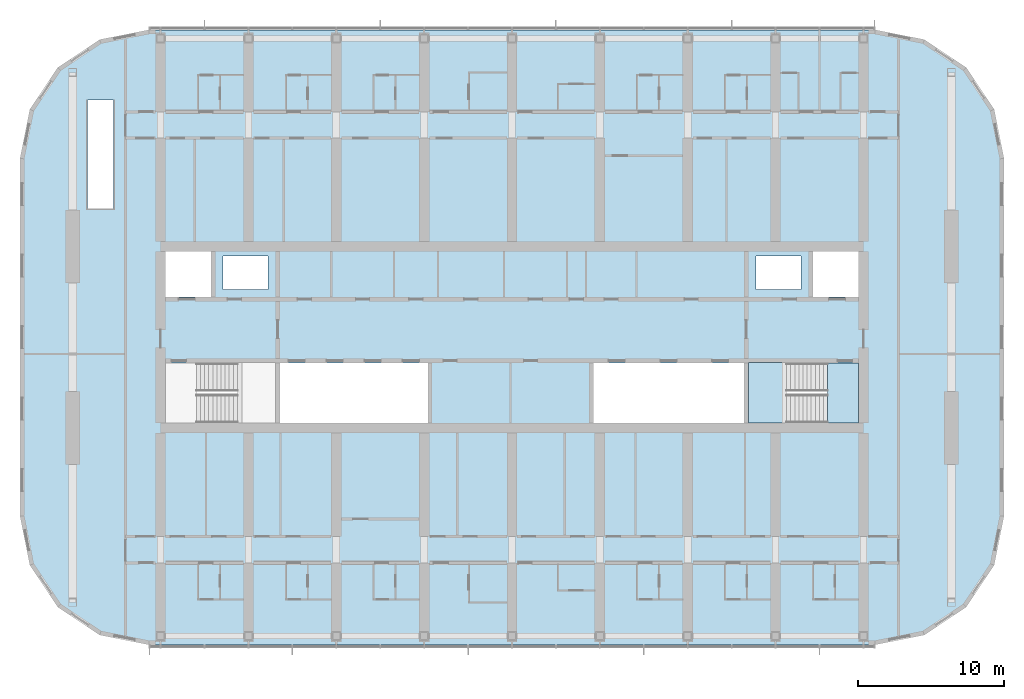
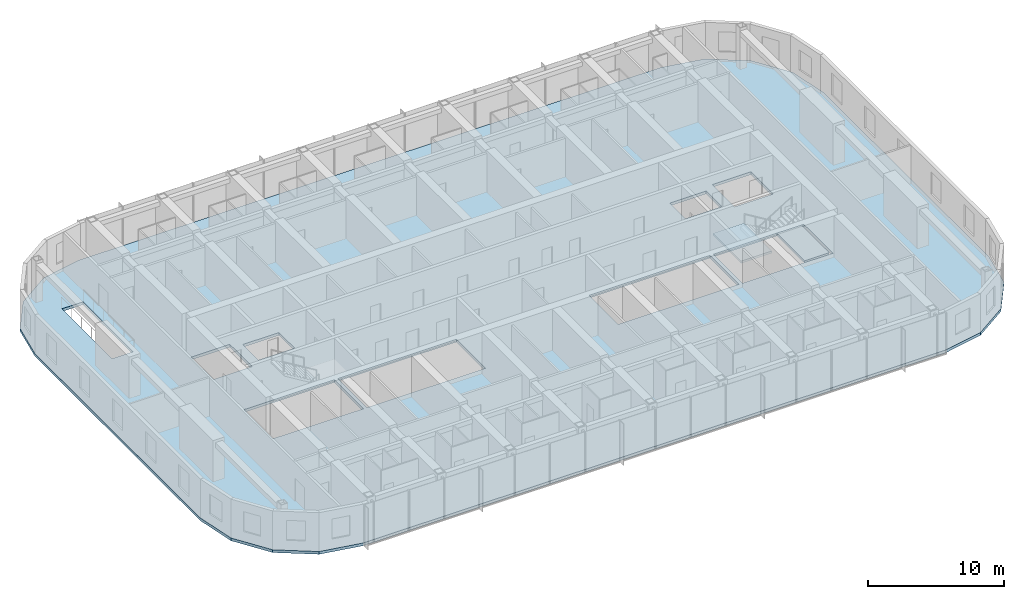
# One storey, part 8 of 23: 3 slabs, 1 element without a shape of its own.
"""IFC4 building model written with IfcOpenShell, lengths in metres."""

import ifcopenshell
import ifcopenshell.guid

model = None  # the IFC model being written
_history = None  # IfcOwnerHistory: only IFC2X3 demands one
_inside = {}  # id of a spatial element -> (the spatial element, [elements in it])
_under = {}  # id of a project, library or spatial element -> (it, [spatial elements below it])
_declared = {}  # id of a project -> (the project, [libraries it declares])
_typed = {}  # id of a type object -> (the type object, [elements of that type])
_made_of = {}  # id of a material, layer set ... -> (it, [elements and type objects made of it])


def new_model(schema):
    """Start an empty IFC model of exactly this schema.

    Asked for "IFC4X3", IfcOpenShell would pick the latest addendum, in which some entities
    have other attributes; the version numbers below select the first issue.
    IFC2X3 requires an IfcOwnerHistory on every rooted entity: one is made here for all.
    """
    global model, _history
    if schema == "IFC4X3":
        model = ifcopenshell.file(schema_version=(4, 3, 0, 0))
    else:
        model = ifcopenshell.file(schema=schema)
    _inside.clear()
    _under.clear()
    _declared.clear()
    _typed.clear()
    _made_of.clear()
    _history = None
    if model.schema == "IFC2X3":
        org = make("IfcOrganization", Name="unknown")
        user = make(
            "IfcPersonAndOrganization",
            ThePerson=make("IfcPerson", FamilyName="unknown"),
            TheOrganization=org,
        )
        app = make(
            "IfcApplication",
            ApplicationDeveloper=org,
            Version="unknown",
            ApplicationFullName="unknown",
            ApplicationIdentifier="unknown",
        )
        _history = make(
            "IfcOwnerHistory",
            OwningUser=user,
            OwningApplication=app,
            ChangeAction="ADDED",
            CreationDate=0,
        )
    return model


def make(cls, **values):
    """One entity of the class cls with the attributes given. An attribute that is None is left unset."""
    return model.create_entity(
        cls, **{name: value for name, value in values.items() if value is not None}
    )


def rooted(cls, **values):
    """An entity with a GlobalId (a new one), such as an element, a storey or a relation."""
    return make(cls, GlobalId=ifcopenshell.guid.new(), OwnerHistory=_history, **values)


def si_unit(unit_type, name, prefix=None):
    """IfcSIUnit, for example si_unit("LENGTHUNIT", "METRE", prefix="MILLI")."""
    return make("IfcSIUnit", UnitType=unit_type, Prefix=prefix, Name=name)


def assignment(units):
    """IfcUnitAssignment: the units of a project."""
    return None if units is None else make("IfcUnitAssignment", Units=units)


def point(xyz):
    """IfcCartesianPoint."""
    return None if xyz is None else make("IfcCartesianPoint", Coordinates=xyz)


def direction(xyz):
    """IfcDirection."""
    return None if xyz is None else make("IfcDirection", DirectionRatios=xyz)


def frame(location, z_axis=None, x_axis=None):
    """IfcAxis2Placement3D, a coordinate frame: its origin and axes. An axis left out is left unset."""
    return make(
        "IfcAxis2Placement3D",
        Location=point(location),
        Axis=direction(z_axis),
        RefDirection=direction(x_axis),
    )


def origin():
    """The frame at (0, 0, 0) with its axes left unset."""
    return frame((0.0, 0.0, 0.0))


def place(relative_to, where):
    """IfcLocalPlacement: puts the frame where relative to a parent placement (None: the world)."""
    return make(
        "IfcLocalPlacement", PlacementRelTo=relative_to, RelativePlacement=where
    )


def context(
    kind, dimensions, precision=None, world=None, true_north=None, identifier=None
):
    """IfcGeometricRepresentationContext, for example the 3D "Model" context."""
    return make(
        "IfcGeometricRepresentationContext",
        ContextIdentifier=identifier,
        ContextType=kind,
        CoordinateSpaceDimension=dimensions,
        Precision=precision,
        WorldCoordinateSystem=world,
        TrueNorth=true_north,
    )


def subcontext(parent, identifier, kind, view, scale=None):
    """IfcGeometricRepresentationSubContext, for example "Body" below "Model"."""
    return make(
        "IfcGeometricRepresentationSubContext",
        ContextIdentifier=identifier,
        ContextType=kind,
        ParentContext=parent,
        TargetScale=scale,
        TargetView=view,
    )


def project(units=None, contexts=None):
    """IfcProject with its units and contexts."""
    return rooted(
        "IfcProject",
        Name="project",
        RepresentationContexts=contexts,
        UnitsInContext=assignment(units),
    )


def spatial(cls, under=None, at=None, **own):
    """A site, building, storey or space (cls), placed at a placement, below another one or the project."""
    s = rooted(cls, ObjectPlacement=at, **own)
    if under is not None:
        _under.setdefault(under.id(), (under, []))[1].append(s)
    return s


def polyline(points):
    """IfcPolyline through the points."""
    return make("IfcPolyline", Points=[point(p) for p in points])


def outline(outer, holes=None, kind="AREA"):
    """IfcArbitraryClosedProfileDef: a profile drawn as a closed curve; with holes, ...WithVoids."""
    if holes is None:
        return make("IfcArbitraryClosedProfileDef", ProfileType=kind, OuterCurve=outer)
    return make(
        "IfcArbitraryProfileDefWithVoids",
        ProfileType=kind,
        OuterCurve=outer,
        InnerCurves=holes,
    )


def extrude(swept, where, along, depth):
    """IfcExtrudedAreaSolid: the profile swept, set in the frame where, extruded along a direction by depth."""
    return make(
        "IfcExtrudedAreaSolid",
        SweptArea=swept,
        Position=where,
        ExtrudedDirection=direction(along),
        Depth=depth,
    )


def shape(context_of_items, identifier, shape_type, items):
    """IfcShapeRepresentation: the items that make up one representation, for example the "Body"."""
    return make(
        "IfcShapeRepresentation",
        ContextOfItems=context_of_items,
        RepresentationIdentifier=identifier,
        RepresentationType=shape_type,
        Items=items,
    )


def material(Name=None, Category=None):
    """IfcMaterial."""
    return make("IfcMaterial", Name=Name, Category=Category)


def layer(
    of_material, thickness, ventilated=None, Name=None, Category=None, Priority=None
):
    """IfcMaterialLayer: one layer of a wall or slab, of a material (None: an air gap)."""
    return make(
        "IfcMaterialLayer",
        Material=of_material,
        LayerThickness=thickness,
        IsVentilated=ventilated,
        Name=Name,
        Category=Category,
        Priority=Priority,
    )


def layer_set(layers, Name=None):
    """IfcMaterialLayerSet."""
    return make("IfcMaterialLayerSet", MaterialLayers=layers, LayerSetName=Name)


def made_of(thing, what):
    """Note that an element or type object is made of a material, layer set ...; save() writes the relation."""
    if what is not None:
        _made_of.setdefault(what.id(), (what, []))[1].append(thing)
    return thing


def type_object(cls, material=None, **own):
    """A type object (cls), such as IfcWallType, which elements share."""
    return made_of(rooted(cls, **own), material)


def element(
    cls,
    number,
    at=None,
    inside=None,
    cuts=None,
    type_object=None,
    material=None,
    context=None,
    identifier="Body",
    shape_type=None,
    held_by="IfcProductDefinitionShape",
    body=None,
    shapes=None,
    **own,
):
    """One element of the class cls, such as IfcWall. Its Tag is "e" and its number.

    at: its placement. inside: the storey or other place that contains it. cuts: it is an
    opening in that element (IfcRelVoidsElement). A single representation is given by context,
    identifier, shape_type and body (its items); several are given by shapes. held_by: the class
    of the entity that holds the representations. save() writes the other relations.
    """
    e = rooted(cls, Tag="e%d" % number, ObjectPlacement=at, **own)
    if body is not None:
        shapes = [shape(context, identifier, shape_type, body)]
    if shapes is not None:
        e.Representation = make(held_by, Representations=shapes)
    if inside is not None:
        _inside.setdefault(inside.id(), (inside, []))[1].append(e)
    if cuts is not None:
        rooted(
            "IfcRelVoidsElement", RelatingBuildingElement=cuts, RelatedOpeningElement=e
        )
    if type_object is not None:
        _typed.setdefault(type_object.id(), (type_object, []))[1].append(e)
    return made_of(e, material)


def aggregate(whole, parts):
    """IfcRelAggregates: a whole, such as a stair, and the parts it consists of."""
    return rooted("IfcRelAggregates", RelatingObject=whole, RelatedObjects=parts)


def save(model, path):
    """Write the relations noted so far, then the file.

    IfcRelAggregates (storeys below a building ...), IfcRelContainedInSpatialStructure (elements
    in a storey), IfcRelDefinesByType, IfcRelAssociatesMaterial and IfcRelDeclares: one each for
    every whole, place, type object, material and project.
    """
    for whole, parts in _under.values():
        aggregate(whole, parts)
    for where, things in _inside.values():
        rooted(
            "IfcRelContainedInSpatialStructure",
            RelatedElements=things,
            RelatingStructure=where,
        )
    for kind, things in _typed.values():
        rooted("IfcRelDefinesByType", RelatedObjects=things, RelatingType=kind)
    for what, things in _made_of.values():
        rooted("IfcRelAssociatesMaterial", RelatedObjects=things, RelatingMaterial=what)
    for by, libraries in _declared.values():
        rooted("IfcRelDeclares", RelatingContext=by, RelatedDefinitions=libraries)
    model.write(path)


model = new_model("IFC4")

# Units and contexts
model_context = context("Model", 3, precision=1e-05, world=origin(), true_north=direction((0.0, 1.0)))
body_context = subcontext(model_context, "Body", "Model", "MODEL_VIEW")
ifc_project = project(units=[si_unit("LENGTHUNIT", "METRE"), si_unit("AREAUNIT", "SQUARE_METRE"), si_unit("VOLUMEUNIT", "CUBIC_METRE"), si_unit("PLANEANGLEUNIT", "RADIAN"), si_unit("MASSUNIT", "GRAM", prefix="KILO")], contexts=[model_context])

# Site, building, storey
site_placement = place(None, origin())
site = spatial("IfcSite", under=ifc_project, at=site_placement, CompositionType="ELEMENT")
building_placement = place(site_placement, origin())
building = spatial("IfcBuilding", under=site, at=building_placement, Name="Orbita Commons", CompositionType="ELEMENT")
storey_placement = place(building_placement, frame((0.0, 0.0, 250.300048828125)))
storey = spatial("IfcBuildingStorey", under=building, at=storey_placement, Name="L62", CompositionType="ELEMENT", Elevation=250.300048828125)

# Slab
ifc_material_1 = material(Name="Concrete C40/50", Category="concrete")
ifc_layer_1 = layer(ifc_material_1, 0.25)
ifc_layer_set_1 = layer_set([ifc_layer_1], Name="Concrete C40/50")
slab_type_1 = type_object("IfcSlabType", Name="Floor slab 250", PredefinedType="FLOOR", material=ifc_layer_set_1)
slab_1_placement = place(storey_placement, frame((0.0, 0.0, -0.25)))
element("IfcSlab", 1, at=slab_1_placement, inside=storey, type_object=slab_type_1, Name="Floor slab L62", PredefinedType="FLOOR", context=body_context, shape_type="SweptSolid", body=[
    extrude(outline(polyline([(66.800048828125, 11.0), (70.167724609375, 11.669921875), (73.0224609375, 13.577392578125), (74.93017578125, 16.432373046875), (75.60009765625, 19.800048828125), (75.60009765625, 44.199951171875), (74.93017578125, 47.567626953125), (73.0224609375, 50.422607421875), (70.167724609375, 52.330078125), (66.800048828125, 53.0), (17.199951171875, 53.0), (13.832275390625, 52.330078125), (10.9775390625, 50.422607421875), (9.06982421875, 47.567626953125), (8.39990234375, 44.199951171875), (8.39990234375, 19.800048828125), (9.06982421875, 16.432373046875), (10.9775390625, 13.577392578125), (13.832275390625, 11.669921875), (17.199951171875, 11.0), (66.800048828125, 11.0)]), holes=[polyline([(18.14990234375, 25.949951171875), (25.85009765625, 25.949951171875), (25.85009765625, 30.25), (18.14990234375, 30.25), (18.14990234375, 25.949951171875)]), polyline([(58.14990234375, 25.949951171875), (65.85009765625, 25.949951171875), (65.85009765625, 30.25), (58.14990234375, 30.25), (58.14990234375, 25.949951171875)]), polyline([(18.14990234375, 34.75), (21.449951171875, 34.75), (21.449951171875, 38.050048828125), (18.14990234375, 38.050048828125), (18.14990234375, 34.75)]), polyline([(62.550048828125, 34.75), (65.85009765625, 34.75), (65.85009765625, 38.050048828125), (62.550048828125, 38.050048828125), (62.550048828125, 34.75)]), polyline([(22.25, 35.25), (25.35009765625, 35.25), (25.35009765625, 37.550048828125), (22.25, 37.550048828125), (22.25, 35.25)]), polyline([(58.64990234375, 35.25), (61.75, 35.25), (61.75, 37.550048828125), (58.64990234375, 37.550048828125), (58.64990234375, 35.25)]), polyline([(26.14990234375, 25.949951171875), (36.25, 25.949951171875), (36.25, 30.25), (26.14990234375, 30.25), (26.14990234375, 25.949951171875)]), polyline([(47.550048828125, 25.949951171875), (57.85009765625, 25.949951171875), (57.85009765625, 30.25), (47.550048828125, 30.25), (47.550048828125, 25.949951171875)]), polyline([(13.0, 40.800048828125), (14.800048828125, 40.800048828125), (14.800048828125, 48.199951171875), (13.0, 48.199951171875), (13.0, 40.800048828125)])]), origin(), (0.0, 0.0, 1.0), 0.25),
])

# Stair, slabs
ifc_material_2 = material(Name="Precast concrete C40/50", Category="concrete")
stair_type = type_object("IfcStairType", Name="Exit stair S2 2 flights 11 risers 170", PredefinedType="HALF_TURN_STAIR", material=ifc_material_2)
stair_placement = place(storey_placement, origin())
stair = element("IfcStair", 2, at=stair_placement, inside=storey, type_object=stair_type, Name="Exit stair S2 L62", PredefinedType="HALF_TURN_STAIR")
ifc_material_3 = material(Name="Concrete C40/50", Category="concrete")
ifc_layer_2 = layer(ifc_material_3, 0.199951171875)
ifc_layer_set_2 = layer_set([ifc_layer_2], Name="Concrete C40/50")
slab_type_2 = type_object("IfcSlabType", Name="Stair landing 200", PredefinedType="LANDING", material=ifc_layer_set_2)
slab_2_placement = place(storey_placement, frame((0.0, 0.0, -0.199951171875)))
slab_2 = element("IfcSlab", 3, at=slab_2_placement, type_object=slab_type_2, Name="S2 landing 1", PredefinedType="LANDING", context=body_context, shape_type="SweptSolid", body=[
    extrude(outline(polyline([(63.550048828125, 26.14990234375), (65.64990234375, 26.14990234375), (65.64990234375, 30.25), (63.550048828125, 30.25), (63.550048828125, 26.14990234375)])), origin(), (0.0, 0.0, 1.0), 0.199951171875),
])
slab_3_placement = place(storey_placement, frame((0.0, 0.0, 1.675048828125)))
slab_3 = element("IfcSlab", 4, at=slab_3_placement, type_object=slab_type_2, Name="S2 landing 2", PredefinedType="LANDING", context=body_context, shape_type="SweptSolid", body=[
    extrude(outline(polyline([(58.135009765625, 26.135009765625), (60.75, 26.135009765625), (60.75, 30.264892578125), (58.135009765625, 30.264892578125), (58.135009765625, 26.135009765625)])), origin(), (0.0, 0.0, 1.0), 0.199951171875),
])
aggregate(stair, [slab_2, slab_3])

save(model, "model.ifc")
